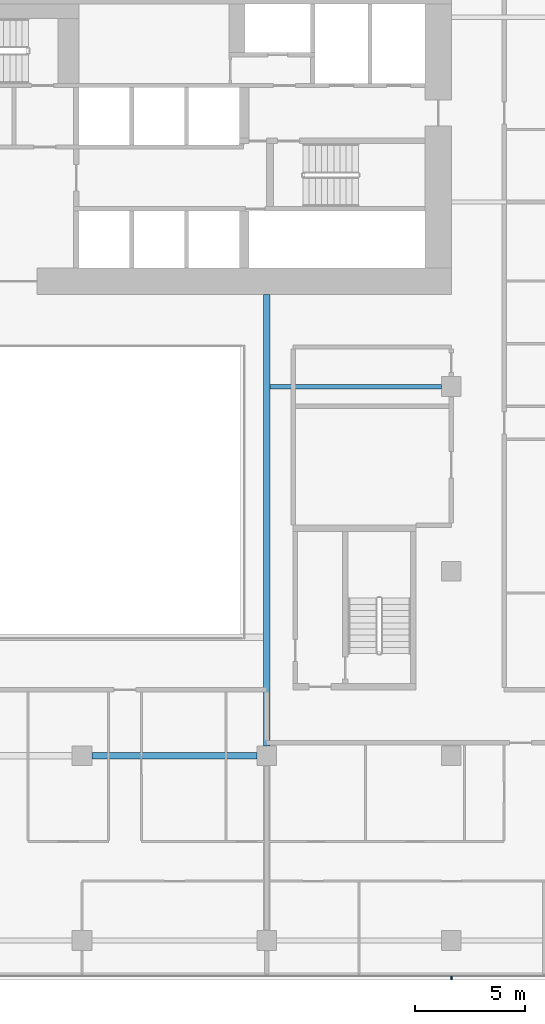
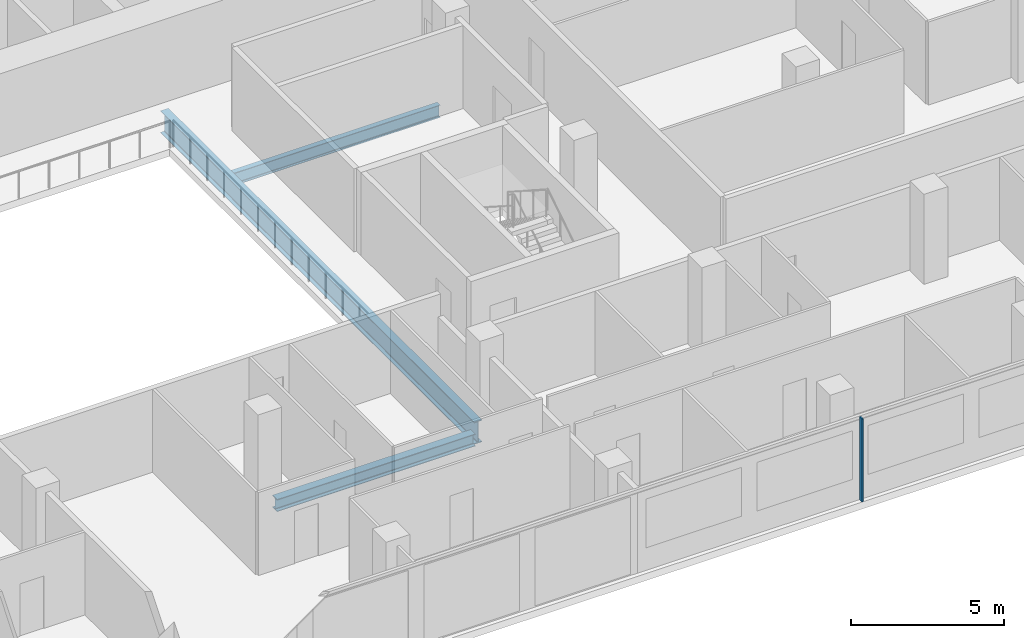
# One storey, part 6 of 25: 3 beams, 1 member, 1 element without a shape of its own.
"""IFC4 building model written with IfcOpenShell, lengths in metres."""

import ifcopenshell
import ifcopenshell.guid

model = None  # the IFC model being written
_history = None  # IfcOwnerHistory: only IFC2X3 demands one
_inside = {}  # id of a spatial element -> (the spatial element, [elements in it])
_under = {}  # id of a project, library or spatial element -> (it, [spatial elements below it])
_declared = {}  # id of a project -> (the project, [libraries it declares])
_typed = {}  # id of a type object -> (the type object, [elements of that type])
_made_of = {}  # id of a material, layer set ... -> (it, [elements and type objects made of it])


def new_model(schema):
    """Start an empty IFC model of exactly this schema.

    Asked for "IFC4X3", IfcOpenShell would pick the latest addendum, in which some entities
    have other attributes; the version numbers below select the first issue.
    IFC2X3 requires an IfcOwnerHistory on every rooted entity: one is made here for all.
    """
    global model, _history
    if schema == "IFC4X3":
        model = ifcopenshell.file(schema_version=(4, 3, 0, 0))
    else:
        model = ifcopenshell.file(schema=schema)
    _inside.clear()
    _under.clear()
    _declared.clear()
    _typed.clear()
    _made_of.clear()
    _history = None
    if model.schema == "IFC2X3":
        org = make("IfcOrganization", Name="unknown")
        user = make(
            "IfcPersonAndOrganization",
            ThePerson=make("IfcPerson", FamilyName="unknown"),
            TheOrganization=org,
        )
        app = make(
            "IfcApplication",
            ApplicationDeveloper=org,
            Version="unknown",
            ApplicationFullName="unknown",
            ApplicationIdentifier="unknown",
        )
        _history = make(
            "IfcOwnerHistory",
            OwningUser=user,
            OwningApplication=app,
            ChangeAction="ADDED",
            CreationDate=0,
        )
    return model


def make(cls, **values):
    """One entity of the class cls with the attributes given. An attribute that is None is left unset."""
    return model.create_entity(
        cls, **{name: value for name, value in values.items() if value is not None}
    )


def rooted(cls, **values):
    """An entity with a GlobalId (a new one), such as an element, a storey or a relation."""
    return make(cls, GlobalId=ifcopenshell.guid.new(), OwnerHistory=_history, **values)


def si_unit(unit_type, name, prefix=None):
    """IfcSIUnit, for example si_unit("LENGTHUNIT", "METRE", prefix="MILLI")."""
    return make("IfcSIUnit", UnitType=unit_type, Prefix=prefix, Name=name)


def assignment(units):
    """IfcUnitAssignment: the units of a project."""
    return None if units is None else make("IfcUnitAssignment", Units=units)


def point(xyz):
    """IfcCartesianPoint."""
    return None if xyz is None else make("IfcCartesianPoint", Coordinates=xyz)


def direction(xyz):
    """IfcDirection."""
    return None if xyz is None else make("IfcDirection", DirectionRatios=xyz)


def frame(location, z_axis=None, x_axis=None):
    """IfcAxis2Placement3D, a coordinate frame: its origin and axes. An axis left out is left unset."""
    return make(
        "IfcAxis2Placement3D",
        Location=point(location),
        Axis=direction(z_axis),
        RefDirection=direction(x_axis),
    )


def frame_2d(location, x_axis=None):
    """IfcAxis2Placement2D, a coordinate frame in the plane: its origin and x axis."""
    return make(
        "IfcAxis2Placement2D", Location=point(location), RefDirection=direction(x_axis)
    )


def origin():
    """The frame at (0, 0, 0) with its axes left unset."""
    return frame((0.0, 0.0, 0.0))


def origin_2d():
    """The frame at (0, 0) in the plane with its x axis left unset."""
    return frame_2d((0.0, 0.0))


def place(relative_to, where):
    """IfcLocalPlacement: puts the frame where relative to a parent placement (None: the world)."""
    return make(
        "IfcLocalPlacement", PlacementRelTo=relative_to, RelativePlacement=where
    )


def context(
    kind, dimensions, precision=None, world=None, true_north=None, identifier=None
):
    """IfcGeometricRepresentationContext, for example the 3D "Model" context."""
    return make(
        "IfcGeometricRepresentationContext",
        ContextIdentifier=identifier,
        ContextType=kind,
        CoordinateSpaceDimension=dimensions,
        Precision=precision,
        WorldCoordinateSystem=world,
        TrueNorth=true_north,
    )


def subcontext(parent, identifier, kind, view, scale=None):
    """IfcGeometricRepresentationSubContext, for example "Body" below "Model"."""
    return make(
        "IfcGeometricRepresentationSubContext",
        ContextIdentifier=identifier,
        ContextType=kind,
        ParentContext=parent,
        TargetScale=scale,
        TargetView=view,
    )


def project(units=None, contexts=None):
    """IfcProject with its units and contexts."""
    return rooted(
        "IfcProject",
        Name="project",
        RepresentationContexts=contexts,
        UnitsInContext=assignment(units),
    )


def spatial(cls, under=None, at=None, **own):
    """A site, building, storey or space (cls), placed at a placement, below another one or the project."""
    s = rooted(cls, ObjectPlacement=at, **own)
    if under is not None:
        _under.setdefault(under.id(), (under, []))[1].append(s)
    return s


def profile(cls, at=None, kind="AREA", **sizes):
    """A parametric profile (cls). Its sizes go by their IFC names, for example OverallWidth=200.0."""
    return make(cls, ProfileType=kind, Position=at, **sizes)


def rectangle(**sizes):
    """IfcRectangleProfileDef."""
    return profile("IfcRectangleProfileDef", **sizes)


def i_section(**sizes):
    """IfcIShapeProfileDef."""
    return profile("IfcIShapeProfileDef", **sizes)


def extrude(swept, where, along, depth):
    """IfcExtrudedAreaSolid: the profile swept, set in the frame where, extruded along a direction by depth."""
    return make(
        "IfcExtrudedAreaSolid",
        SweptArea=swept,
        Position=where,
        ExtrudedDirection=direction(along),
        Depth=depth,
    )


def shape(context_of_items, identifier, shape_type, items):
    """IfcShapeRepresentation: the items that make up one representation, for example the "Body"."""
    return make(
        "IfcShapeRepresentation",
        ContextOfItems=context_of_items,
        RepresentationIdentifier=identifier,
        RepresentationType=shape_type,
        Items=items,
    )


def material(Name=None, Category=None):
    """IfcMaterial."""
    return make("IfcMaterial", Name=Name, Category=Category)


def material_profile(
    of_material, cross_section, Name=None, Category=None, Priority=None
):
    """IfcMaterialProfile: a cross section and its material."""
    return make(
        "IfcMaterialProfile",
        Name=Name,
        Material=of_material,
        Profile=cross_section,
        Priority=Priority,
        Category=Category,
    )


def profile_set(profiles, Name=None, composite=None):
    """IfcMaterialProfileSet."""
    return make(
        "IfcMaterialProfileSet",
        Name=Name,
        MaterialProfiles=profiles,
        CompositeProfile=composite,
    )


def made_of(thing, what):
    """Note that an element or type object is made of a material, layer set ...; save() writes the relation."""
    if what is not None:
        _made_of.setdefault(what.id(), (what, []))[1].append(thing)
    return thing


def type_object(cls, material=None, **own):
    """A type object (cls), such as IfcWallType, which elements share."""
    return made_of(rooted(cls, **own), material)


def element(
    cls,
    number,
    at=None,
    inside=None,
    cuts=None,
    type_object=None,
    material=None,
    context=None,
    identifier="Body",
    shape_type=None,
    held_by="IfcProductDefinitionShape",
    body=None,
    shapes=None,
    **own,
):
    """One element of the class cls, such as IfcWall. Its Tag is "e" and its number.

    at: its placement. inside: the storey or other place that contains it. cuts: it is an
    opening in that element (IfcRelVoidsElement). A single representation is given by context,
    identifier, shape_type and body (its items); several are given by shapes. held_by: the class
    of the entity that holds the representations. save() writes the other relations.
    """
    e = rooted(cls, Tag="e%d" % number, ObjectPlacement=at, **own)
    if body is not None:
        shapes = [shape(context, identifier, shape_type, body)]
    if shapes is not None:
        e.Representation = make(held_by, Representations=shapes)
    if inside is not None:
        _inside.setdefault(inside.id(), (inside, []))[1].append(e)
    if cuts is not None:
        rooted(
            "IfcRelVoidsElement", RelatingBuildingElement=cuts, RelatedOpeningElement=e
        )
    if type_object is not None:
        _typed.setdefault(type_object.id(), (type_object, []))[1].append(e)
    return made_of(e, material)


def aggregate(whole, parts):
    """IfcRelAggregates: a whole, such as a stair, and the parts it consists of."""
    return rooted("IfcRelAggregates", RelatingObject=whole, RelatedObjects=parts)


def save(model, path):
    """Write the relations noted so far, then the file.

    IfcRelAggregates (storeys below a building ...), IfcRelContainedInSpatialStructure (elements
    in a storey), IfcRelDefinesByType, IfcRelAssociatesMaterial and IfcRelDeclares: one each for
    every whole, place, type object, material and project.
    """
    for whole, parts in _under.values():
        aggregate(whole, parts)
    for where, things in _inside.values():
        rooted(
            "IfcRelContainedInSpatialStructure",
            RelatedElements=things,
            RelatingStructure=where,
        )
    for kind, things in _typed.values():
        rooted("IfcRelDefinesByType", RelatedObjects=things, RelatingType=kind)
    for what, things in _made_of.values():
        rooted("IfcRelAssociatesMaterial", RelatedObjects=things, RelatingMaterial=what)
    for by, libraries in _declared.values():
        rooted("IfcRelDeclares", RelatingContext=by, RelatedDefinitions=libraries)
    model.write(path)


model = new_model("IFC4")

# Units and contexts
model_context = context("Model", 3, precision=1e-05, world=origin(), true_north=direction((0.0, 1.0)))
body_context = subcontext(model_context, "Body", "Model", "MODEL_VIEW")
ifc_project = project(units=[si_unit("LENGTHUNIT", "METRE"), si_unit("AREAUNIT", "SQUARE_METRE"), si_unit("VOLUMEUNIT", "CUBIC_METRE"), si_unit("PLANEANGLEUNIT", "RADIAN"), si_unit("MASSUNIT", "GRAM", prefix="KILO")], contexts=[model_context])

# Site, building, storey
site_placement = place(None, origin())
site = spatial("IfcSite", under=ifc_project, at=site_placement, CompositionType="ELEMENT")
building_placement = place(site_placement, origin())
building = spatial("IfcBuilding", under=site, at=building_placement, Name="Saffron Gate Tower", CompositionType="ELEMENT")
storey_placement = place(building_placement, frame((0.0, 0.0, 73.199951171875)))
storey = spatial("IfcBuildingStorey", under=building, at=storey_placement, Name="L17", CompositionType="ELEMENT", Elevation=73.199951171875)

# Beams
ifc_material_1 = material(Name="Structural steel S355", Category="steel")
ifc_material_profile_1 = material_profile(ifc_material_1, i_section(OverallWidth=0.199951171875, OverallDepth=0.5, WebThickness=0.01025390625, FlangeThickness=0.01611328125, FilletRadius=0.02099609375, at=origin_2d()))
ifc_profile_set_1 = profile_set([ifc_material_profile_1], Name="Structural steel S355")
beam_type_1 = type_object("IfcBeamType", Name="B10 IPE 500", PredefinedType="BEAM", material=ifc_profile_set_1)
beam_1_placement = place(storey_placement, frame((108.14990234375, 57.0, -0.530029296875), z_axis=(-1.0, 0.0, 0.0), x_axis=(0.0, -1.0, 0.0)))
element("IfcBeam", 1, at=beam_1_placement, inside=storey, type_object=beam_type_1, Name="B10 CORE TIE BEAM", PredefinedType="BEAM", context=body_context, shape_type="SweptSolid", body=[
    extrude(i_section(OverallWidth=0.199951171875, OverallDepth=0.5, WebThickness=0.01025390625, FlangeThickness=0.01611328125, FilletRadius=0.02099609375, at=origin_2d()), origin(), (0.0, 0.0, 1.0), 7.7998046875),
])
ifc_material_profile_2 = material_profile(ifc_material_1, i_section(OverallWidth=0.300048828125, OverallDepth=0.889892578125, WebThickness=0.01611328125, FlangeThickness=0.030029296875, FilletRadius=0.030029296875, at=origin_2d()))
ifc_profile_set_2 = profile_set([ifc_material_profile_2], Name="Structural steel S355")
beam_type_2 = type_object("IfcBeamType", Name="B19 HEA 900", PredefinedType="BEAM", material=ifc_profile_set_2)
beam_2_placement = place(storey_placement, frame((100.199951171875, 40.64990234375, -0.724853515625), z_axis=(0.0, 1.0, 0.0), x_axis=(-1.0, 0.0, 0.0)))
element("IfcBeam", 2, at=beam_2_placement, inside=storey, type_object=beam_type_2, Name="B19 ATRIUM GIRDER", PredefinedType="BEAM", context=body_context, shape_type="SweptSolid", body=[
    extrude(i_section(OverallWidth=0.300048828125, OverallDepth=0.889892578125, WebThickness=0.01611328125, FlangeThickness=0.030029296875, FilletRadius=0.030029296875, at=origin_2d()), origin(), (0.0, 0.0, 1.0), 20.550048828125),
])
ifc_material_profile_3 = material_profile(ifc_material_1, i_section(OverallWidth=0.300048828125, OverallDepth=0.489990234375, WebThickness=0.011962890625, FlangeThickness=0.02294921875, FilletRadius=0.027099609375, at=origin_2d()))
ifc_profile_set_3 = profile_set([ifc_material_profile_3], Name="Structural steel S355")
beam_type_3 = type_object("IfcBeamType", Name="B8 HEA 500", PredefinedType="BEAM", material=ifc_profile_set_3)
beam_3_placement = place(storey_placement, frame((92.25, 40.199951171875, -0.52490234375), z_axis=(1.0, 0.0, 0.0), x_axis=(0.0, 1.0, 0.0)))
element("IfcBeam", 3, at=beam_3_placement, inside=storey, type_object=beam_type_3, Name="B8 FLOOR GIRDER", PredefinedType="BEAM", context=body_context, shape_type="SweptSolid", body=[
    extrude(i_section(OverallWidth=0.300048828125, OverallDepth=0.489990234375, WebThickness=0.011962890625, FlangeThickness=0.02294921875, FilletRadius=0.027099609375, at=origin_2d()), origin(), (0.0, 0.0, 1.0), 7.5),
])

# Curtain wall, member
ifc_material_2 = material(Name="Aluminium, bronze anodised", Category="aluminium")
curtain_wall_type = type_object("IfcCurtainWallType", Name="CWS1 curtain wall front facade", PredefinedType="NOTDEFINED", material=ifc_material_2)
curtain_wall_placement = place(storey_placement, origin())
curtain_wall = element("IfcCurtainWall", 4, at=curtain_wall_placement, inside=storey, type_object=curtain_wall_type, Name="CWS1 run 1", PredefinedType="NOTDEFINED")
ifc_material_profile_4 = material_profile(ifc_material_2, rectangle(XDim=0.159912109375, YDim=0.06005859375, at=origin_2d()))
ifc_profile_set_4 = profile_set([ifc_material_profile_4], Name="Aluminium, bronze anodised")
member_type = type_object("IfcMemberType", Name="CWS1 mullion 60x160", PredefinedType="MULLION", material=ifc_profile_set_4)
member_placement = place(storey_placement, frame((108.60009765625, 30.080078125, 0.0), z_axis=(0.0, 0.0, 1.0), x_axis=(0.0, 1.0, 0.0)))
member = element("IfcMember", 5, at=member_placement, type_object=member_type, Name="CWS1 mullion 8", PredefinedType="MULLION", context=body_context, shape_type="SweptSolid", body=[
    extrude(rectangle(XDim=0.159912109375, YDim=0.06005859375, at=origin_2d()), origin(), (0.0, 0.0, 1.0), 3.320068359375),
])
aggregate(curtain_wall, [member])

save(model, "model.ifc")
